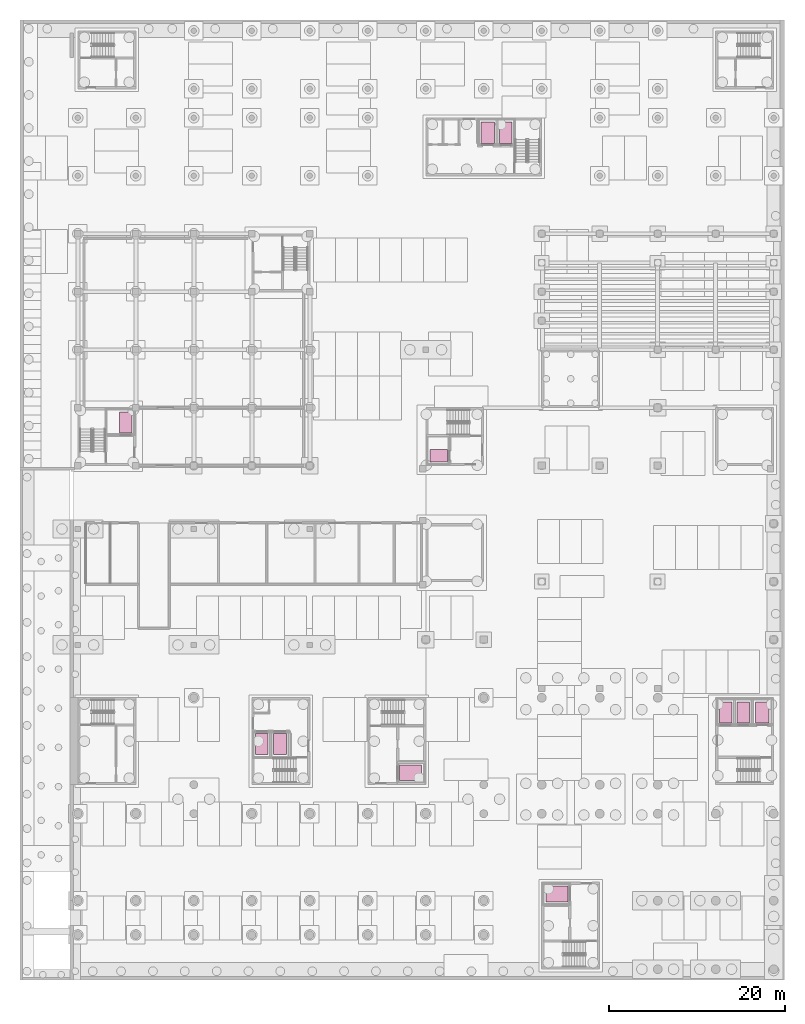
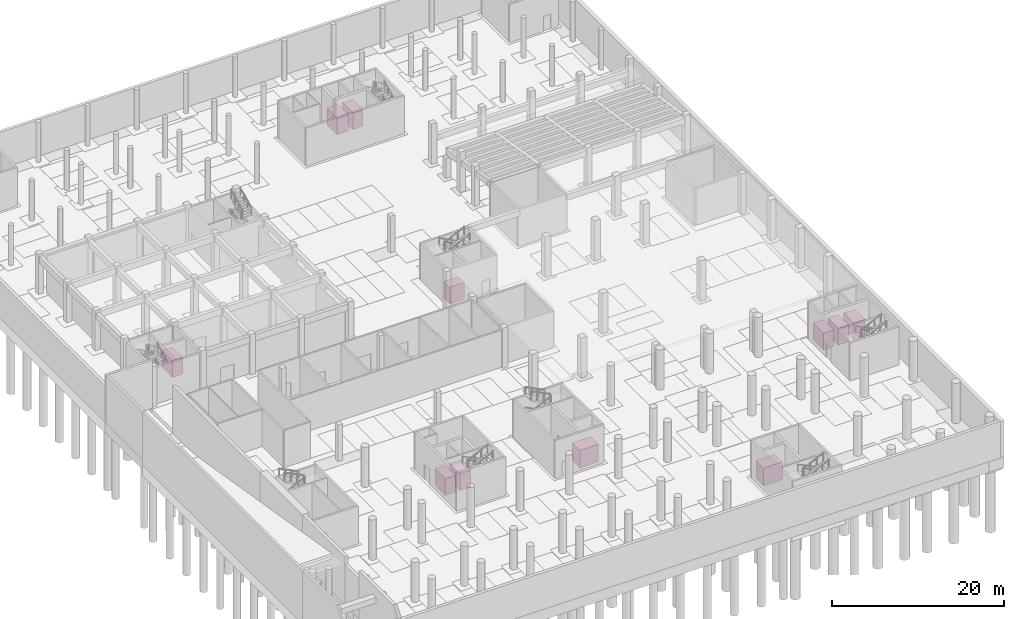
# One storey, part 38 of 38: 11 transport elements.
"""IFC4 building model written with IfcOpenShell, lengths in metres."""

from ifc_helpers import new_model, si_unit, direction, frame, origin, origin_2d, place, context, subcontext, project, spatial, rectangle, extrude, material, type_object, element, save


model = new_model("IFC4")

# Units and contexts
model_context = context("Model", 3, precision=1e-05, world=origin(), true_north=direction((0.0, 1.0)))
body_context = subcontext(model_context, "Body", "Model", "MODEL_VIEW")
ifc_project = project(units=[si_unit("LENGTHUNIT", "METRE"), si_unit("AREAUNIT", "SQUARE_METRE"), si_unit("VOLUMEUNIT", "CUBIC_METRE"), si_unit("PLANEANGLEUNIT", "RADIAN"), si_unit("MASSUNIT", "GRAM", prefix="KILO")], contexts=[model_context])

# Site, building, storey
site_placement = place(None, origin())
site = spatial("IfcSite", under=ifc_project, at=site_placement, CompositionType="ELEMENT")
building_placement = place(site_placement, origin())
building = spatial("IfcBuilding", under=site, at=building_placement, Name="Lantern Court Research Institute", CompositionType="ELEMENT")
storey_placement = place(building_placement, frame((0.0, 0.0, -5.699951171875)))
storey = spatial("IfcBuildingStorey", under=building, at=storey_placement, Name="B1", CompositionType="ELEMENT", Elevation=-5.699951171875)

# Transport elements
ifc_material_1 = material(Name="Stainless steel 304 car lining", Category="steel")
transport_element_type_1 = type_object("IfcTransportElementType", Name="Fire-fighting lift 2000 kg", PredefinedType="ELEVATOR", material=ifc_material_1)
for number, where, z_axis, x_axis, name in (
    (1, (23.0, 17.85009765625, 0.0), (0.0, 0.0, 1.0), (1.0, 0.0, 0.0), "Lift LB2"),
    (2, (77.89990234375, 21.39990234375, 0.0), (0.0, 0.0, 1.0), (1.0, 0.0, 0.0), "Lift LT4"),
    (3, (46.64990234375, 87.39990234375, 0.0), (0.0, 0.0, 1.0), (1.0, 0.0, 0.0), "Lift LW2"),
):
    element("IfcTransportElement", number, at=place(storey_placement, frame(where, z_axis=z_axis, x_axis=x_axis)), inside=storey, type_object=transport_element_type_1, Name=name, PredefinedType="ELEVATOR", context=body_context, shape_type="SweptSolid", body=[
        extrude(rectangle(XDim=1.5, YDim=2.39990234375, at=origin_2d()), origin(), (0.0, 0.0, 1.0), 2.39990234375),
    ])
ifc_material_2 = material(Name="Stainless steel 304 car lining", Category="steel")
transport_element_type_2 = type_object("IfcTransportElementType", Name="Goods lift 2500 kg", PredefinedType="ELEVATOR", material=ifc_material_2)
for number, where, z_axis, x_axis, name in (
    (4, (37.85009765625, 14.550048828125, 0.0), (0.0, 0.0, 1.0), (1.0, 0.0, 0.0), "Lift LB3"),
    (5, (54.550048828125, 0.75, 0.0), (0.0, 0.0, 1.0), (1.0, 0.0, 0.0), "Lift LT3"),
):
    element("IfcTransportElement", number, at=place(storey_placement, frame(where, z_axis=z_axis, x_axis=x_axis)), inside=storey, type_object=transport_element_type_2, Name=name, PredefinedType="ELEVATOR", context=body_context, shape_type="SweptSolid", body=[
        extrude(rectangle(XDim=2.5, YDim=1.800048828125, at=origin_2d()), origin(), (0.0, 0.0, 1.0), 2.5),
    ])
ifc_material_3 = material(Name="Stainless steel 304 car lining", Category="steel")
transport_element_type_3 = type_object("IfcTransportElementType", Name="Passenger lift 1275 kg", PredefinedType="ELEVATOR", material=ifc_material_3)
transport_element_1_placement = place(storey_placement, frame((41.10009765625, 50.64990234375, 0.0), z_axis=(0.0, 0.0, 1.0), x_axis=(1.0, 0.0, 0.0)))
element("IfcTransportElement", 6, at=transport_element_1_placement, inside=storey, type_object=transport_element_type_3, Name="Lift LH1", PredefinedType="ELEVATOR", context=body_context, shape_type="SweptSolid", body=[
    extrude(rectangle(XDim=2.0, YDim=1.39990234375, at=origin_2d()), origin(), (0.0, 0.0, 1.0), 2.39990234375),
])
ifc_material_4 = material(Name="Stainless steel 304 car lining", Category="steel")
transport_element_type_4 = type_object("IfcTransportElementType", Name="Passenger lift 1600 kg", PredefinedType="ELEVATOR", material=ifc_material_4)
for number, where, z_axis, x_axis, name in (
    (7, (20.949951171875, 17.85009765625, 0.0), (0.0, 0.0, 1.0), (1.0, 0.0, 0.0), "Lift LB1"),
    (8, (73.75, 21.39990234375, 0.0), (0.0, 0.0, 1.0), (1.0, 0.0, 0.0), "Lift LT1"),
    (9, (75.75, 21.39990234375, 0.0), (0.0, 0.0, 1.0), (1.0, 0.0, 0.0), "Lift LT2"),
    (10, (48.699951171875, 87.39990234375, 0.0), (0.0, 0.0, 1.0), (1.0, 0.0, 0.0), "Lift LW1"),
):
    element("IfcTransportElement", number, at=place(storey_placement, frame(where, z_axis=z_axis, x_axis=x_axis)), inside=storey, type_object=transport_element_type_4, Name=name, PredefinedType="ELEVATOR", context=body_context, shape_type="SweptSolid", body=[
        extrude(rectangle(XDim=1.39990234375, YDim=2.39990234375, at=origin_2d()), origin(), (0.0, 0.0, 1.0), 2.39990234375),
    ])
ifc_material_5 = material(Name="Stainless steel 304 car lining", Category="steel")
transport_element_type_5 = type_object("IfcTransportElementType", Name="Personnel and goods lift 1600 kg", PredefinedType="ELEVATOR", material=ifc_material_5)
transport_element_2_placement = place(storey_placement, frame((5.449951171875, 54.39990234375, 0.0), z_axis=(0.0, 0.0, 1.0), x_axis=(1.0, 0.0, 0.0)))
element("IfcTransportElement", 11, at=transport_element_2_placement, inside=storey, type_object=transport_element_type_5, Name="Lift LC1", PredefinedType="ELEVATOR", context=body_context, shape_type="SweptSolid", body=[
    extrude(rectangle(XDim=1.39990234375, YDim=2.39990234375, at=origin_2d()), origin(), (0.0, 0.0, 1.0), 2.39990234375),
])

save(model, "model.ifc")
